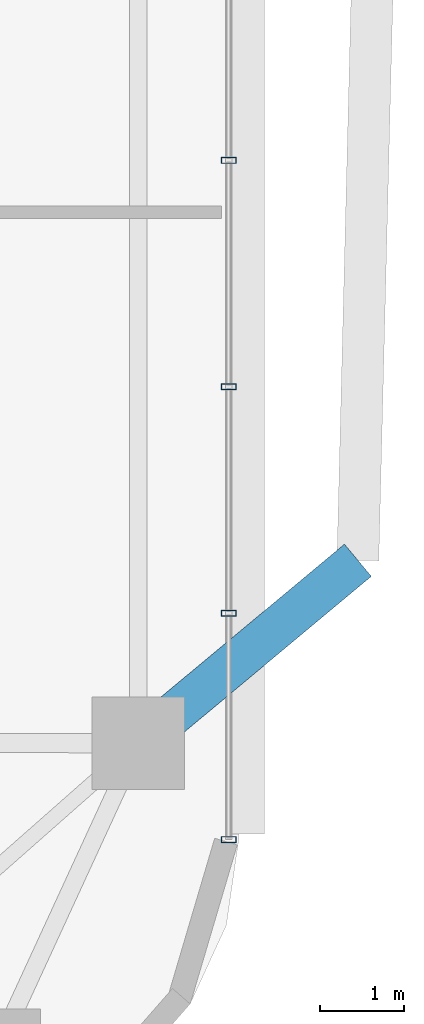
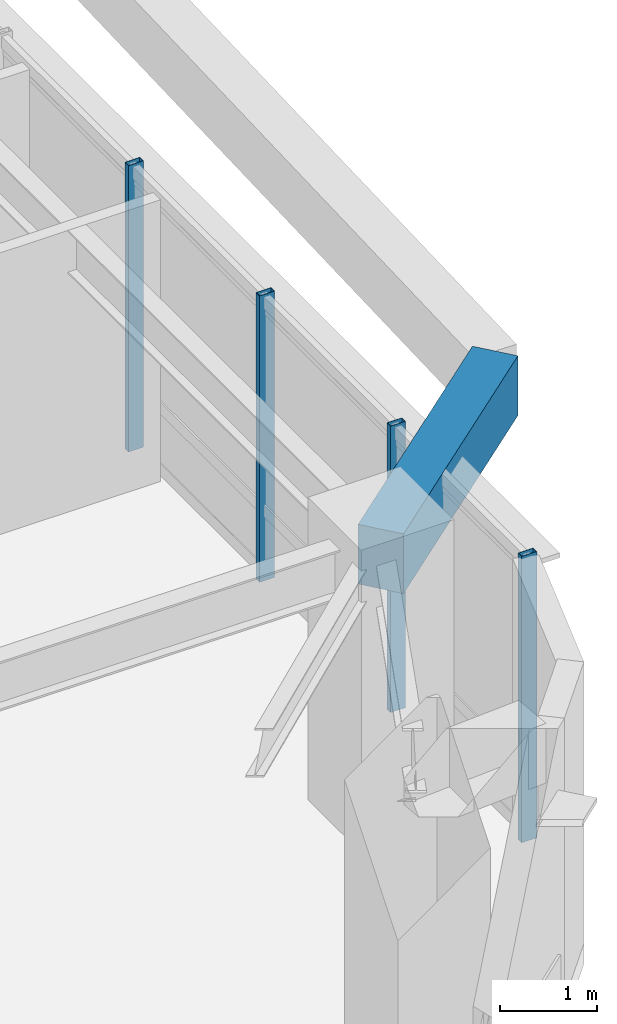
# One storey, part 2 of 13: 4 members, 1 beam, 1 element without a shape of its own.
"""IFC4 building model written with IfcOpenShell, lengths in metres."""

from ifc_helpers import new_model, si_unit, direction, frame, origin, origin_2d, place, context, subcontext, project, spatial, rectangle, hollow_rectangle, extrude, material, material_profile, profile_set, type_object, element, aggregate, save


model = new_model("IFC4")

# Units and contexts
model_context = context("Model", 3, precision=1e-05, world=origin(), true_north=direction((0.0, 1.0)))
body_context = subcontext(model_context, "Body", "Model", "MODEL_VIEW")
ifc_project = project(units=[si_unit("LENGTHUNIT", "METRE"), si_unit("AREAUNIT", "SQUARE_METRE"), si_unit("VOLUMEUNIT", "CUBIC_METRE"), si_unit("PLANEANGLEUNIT", "RADIAN"), si_unit("MASSUNIT", "GRAM", prefix="KILO")], contexts=[model_context])

# Site, building, storey
site_placement = place(None, origin())
site = spatial("IfcSite", under=ifc_project, at=site_placement, CompositionType="ELEMENT")
building_placement = place(site_placement, origin())
building = spatial("IfcBuilding", under=site, at=building_placement, Name="Zulverin Broadcast Headquarters", CompositionType="ELEMENT")
storey_placement = place(building_placement, frame((0.0, 0.0, 155.39990234375)))
storey = spatial("IfcBuildingStorey", under=building, at=storey_placement, Name="L39", CompositionType="ELEMENT", Elevation=155.39990234375)

# Beam
ifc_material_1 = material(Name="Concrete C40/50", Category="concrete")
ifc_material_profile_1 = material_profile(ifc_material_1, rectangle(XDim=0.5, YDim=0.75, at=origin_2d()), Name="Concrete C40/50", Category="concrete")
ifc_profile_set_1 = profile_set([ifc_material_profile_1], Name="Concrete C40/50")
beam_type = type_object("IfcBeamType", Name="BM-RC-500x750", PredefinedType="BEAM", material=ifc_profile_set_1)
beam_placement = place(storey_placement, frame((60.60009765625, 17.519287109375, 3.1650390625), z_axis=(0.768414935557, 0.639951941019, 0.0), x_axis=(-0.639951941019, 0.768414935557, 0.0)))
element("IfcBeam", 1, at=beam_placement, inside=storey, type_object=beam_type, Name="L40 Balcony Column-Framed Cantilever BAL_E-1", PredefinedType="BEAM", context=body_context, shape_type="SweptSolid", body=[
    extrude(rectangle(XDim=0.5, YDim=0.75, at=origin_2d()), origin(), (0.0, 0.0, 1.0), 3.409423828125),
])

# Curtain wall, members
ifc_material_2 = material(Name="Waist wind-pressure unitised curtain wall", Category="aluminium")
curtain_wall_type = type_object("IfcCurtainWallType", Name="CW-TWR-WST", PredefinedType="USERDEFINED", material=ifc_material_2)
curtain_wall_placement = place(storey_placement, origin())
curtain_wall = element("IfcCurtainWall", 2, at=curtain_wall_placement, inside=storey, type_object=curtain_wall_type, Name="L39 Unitised Curtain Wall CW-L39-E3", ObjectType="UNITISED CURTAIN WALL", PredefinedType="USERDEFINED")
ifc_material_3 = material(Name="Anodized pale-metal aluminium alloy 6063-T6", Category="aluminium")
ifc_material_profile_2 = material_profile(ifc_material_3, hollow_rectangle(XDim=0.074951171875, YDim=0.179931640625, WallThickness=0.0048828125, at=origin_2d()), Name="Anodized pale-metal aluminium alloy 6063-T6", Category="aluminium")
ifc_profile_set_2 = profile_set([ifc_material_profile_2], Name="Anodized pale-metal aluminium alloy 6063-T6")
member_type = type_object("IfcMemberType", Name="CW-MUL-180", PredefinedType="MULLION", material=ifc_profile_set_2)
member_1_placement = place(storey_placement, frame((61.679931640625, 16.369384765625, -0.02978515625), z_axis=(0.0, 0.0, 1.0), x_axis=(0.0, 1.0, 0.0)))
member_1 = element("IfcMember", 3, at=member_1_placement, type_object=member_type, Name="CW-L39-E3 Mullion 00", PredefinedType="MULLION", context=body_context, shape_type="SweptSolid", body=[
    extrude(hollow_rectangle(XDim=0.074951171875, YDim=0.179931640625, WallThickness=0.0048828125, at=origin_2d()), origin(), (0.0, 0.0, 1.0), 3.599853515625),
])
member_2_placement = place(storey_placement, frame((61.679931640625, 19.069580078125, -0.02978515625), z_axis=(0.0, 0.0, 1.0), x_axis=(0.0, 1.0, 0.0)))
member_2 = element("IfcMember", 4, at=member_2_placement, type_object=member_type, Name="CW-L39-E3 Mullion 01", PredefinedType="MULLION", context=body_context, shape_type="SweptSolid", body=[
    extrude(hollow_rectangle(XDim=0.074951171875, YDim=0.179931640625, WallThickness=0.0048828125, at=origin_2d()), origin(), (0.0, 0.0, 1.0), 3.599853515625),
])
member_3_placement = place(storey_placement, frame((61.679931640625, 21.77001953125, -0.02978515625), z_axis=(0.0, 0.0, 1.0), x_axis=(0.0, 1.0, 0.0)))
member_3 = element("IfcMember", 5, at=member_3_placement, type_object=member_type, Name="CW-L39-E3 Mullion 02", PredefinedType="MULLION", context=body_context, shape_type="SweptSolid", body=[
    extrude(hollow_rectangle(XDim=0.074951171875, YDim=0.179931640625, WallThickness=0.0048828125, at=origin_2d()), origin(), (0.0, 0.0, 1.0), 3.599853515625),
])
member_4_placement = place(storey_placement, frame((61.679931640625, 24.47021484375, -0.02978515625), z_axis=(0.0, 0.0, 1.0), x_axis=(0.0, 1.0, 0.0)))
member_4 = element("IfcMember", 6, at=member_4_placement, type_object=member_type, Name="CW-L39-E3 Mullion 03", PredefinedType="MULLION", context=body_context, shape_type="SweptSolid", body=[
    extrude(hollow_rectangle(XDim=0.074951171875, YDim=0.179931640625, WallThickness=0.0048828125, at=origin_2d()), origin(), (0.0, 0.0, 1.0), 3.599853515625),
])
aggregate(curtain_wall, [member_1, member_2, member_3, member_4])

save(model, "model.ifc")
